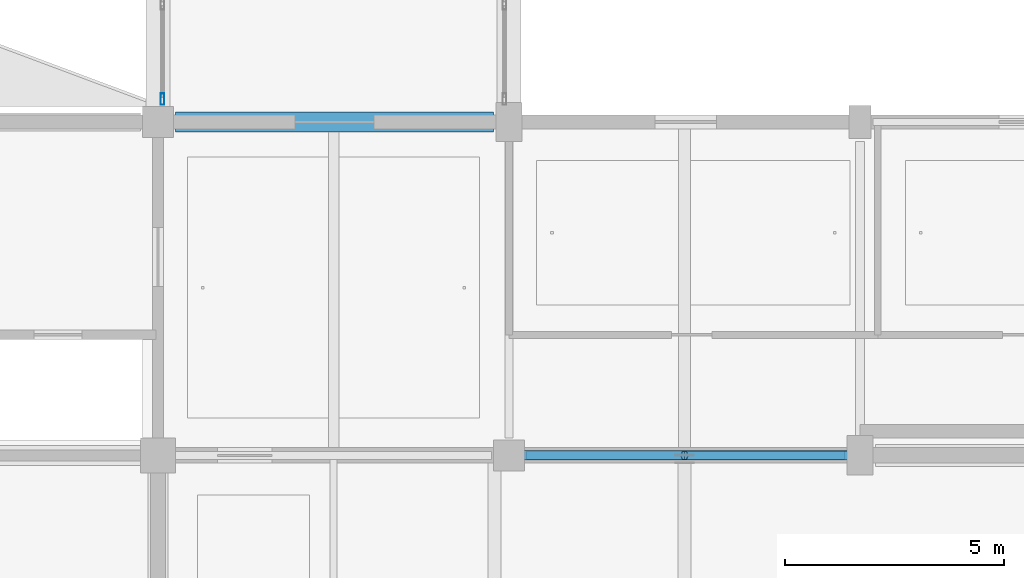
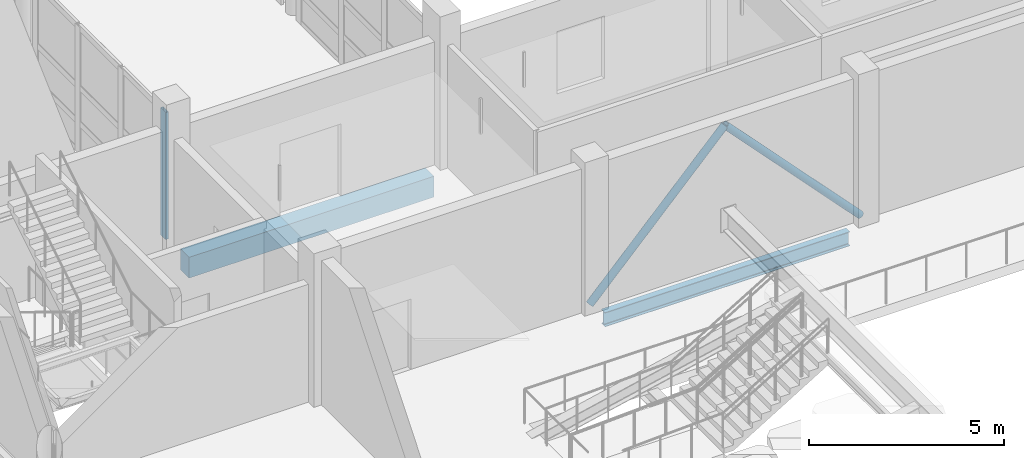
# One storey, part 19 of 147: 3 members, 2 beams, 1 element without a shape of its own.
"""IFC4 building model written with IfcOpenShell, lengths in metres."""

from ifc_helpers import new_model, si_unit, direction, frame, origin, origin_2d, place, context, subcontext, project, spatial, rectangle, hollow_rectangle, hollow_circle, i_section, extrude, material, material_profile, profile_set, type_object, element, aggregate, save


model = new_model("IFC4")

# Units and contexts
model_context = context("Model", 3, precision=1e-05, world=origin(), true_north=direction((0.0, 1.0)))
body_context = subcontext(model_context, "Body", "Model", "MODEL_VIEW")
ifc_project = project(units=[si_unit("LENGTHUNIT", "METRE"), si_unit("AREAUNIT", "SQUARE_METRE"), si_unit("VOLUMEUNIT", "CUBIC_METRE"), si_unit("PLANEANGLEUNIT", "RADIAN"), si_unit("MASSUNIT", "GRAM", prefix="KILO")], contexts=[model_context])

# Site, building, storey
site_placement = place(None, origin())
site = spatial("IfcSite", under=ifc_project, at=site_placement, CompositionType="ELEMENT")
building_placement = place(site_placement, origin())
building = spatial("IfcBuilding", under=site, at=building_placement, Name="Khelvaren Railside Concert Hall", CompositionType="ELEMENT")
storey_placement = place(building_placement, frame((0.0, 0.0, 5.39990234375)))
storey = spatial("IfcBuildingStorey", under=building, at=storey_placement, Name="L01", CompositionType="ELEMENT", Elevation=5.39990234375)

# Beam
ifc_material_1 = material(Name="Steel S355", Category="steel")
ifc_material_profile_1 = material_profile(ifc_material_1, i_section(OverallWidth=0.18994140625, OverallDepth=0.449951171875, WebThickness=0.009521484375, FlangeThickness=0.0146484375, FilletRadius=0.02099609375, at=origin_2d()), Name="IPE 450")
ifc_profile_set_1 = profile_set([ifc_material_profile_1], Name="Steel S355")
beam_type_1 = type_object("IfcBeamType", Name="BM95", PredefinedType="BEAM", material=ifc_profile_set_1)
beam_1_placement = place(storey_placement, frame((16.39990234375, 38.0, -0.52490234375), z_axis=(1.0, 0.0, 0.0), x_axis=(0.0, 1.0, 0.0)))
element("IfcBeam", 1, at=beam_1_placement, inside=storey, type_object=beam_type_1, Name="V1 L01 Beam X6.3", PredefinedType="BEAM", context=body_context, shape_type="SweptSolid", body=[
    extrude(i_section(OverallWidth=0.18994140625, OverallDepth=0.449951171875, WebThickness=0.009521484375, FlangeThickness=0.0146484375, FilletRadius=0.02099609375, at=origin_2d()), origin(), (0.0, 0.0, 1.0), 7.25),
])

# Members
ifc_material_profile_2 = material_profile(ifc_material_1, hollow_circle(Radius=0.109619140625, WallThickness=0.012451171875, at=origin_2d()), Name="CHS 219.1x12.5")
ifc_profile_set_2 = profile_set([ifc_material_profile_2], Name="Steel S355")
member_type_1 = type_object("IfcMemberType", Name="BR37", PredefinedType="BRACE", material=ifc_profile_set_2)
for number, where, z_axis, x_axis, name in (
    (2, (16.0, 38.0, 0.050048828125), (0.688798075334, 0.0, 0.724953247745), (0.0, 1.0, 0.0), "V1 L01 Seismic Chevron Brace 33"),
    (3, (24.0, 38.0, 0.050048828125), (-0.688798075334, 0.0, 0.724953247745), (0.0, -1.0, 0.0), "V1 L01 Seismic Chevron Brace 34"),
):
    element("IfcMember", number, at=place(storey_placement, frame(where, z_axis=z_axis, x_axis=x_axis)), inside=storey, type_object=member_type_1, Name=name, PredefinedType="BRACE", context=body_context, shape_type="SweptSolid", body=[
        extrude(hollow_circle(Radius=0.109619140625, WallThickness=0.012451171875, at=origin_2d()), origin(), (0.0, 0.0, 1.0), 5.80712890625),
    ])

# Curtain wall, member
ifc_material_2 = material(Name="Acoustic laminated crystal facade glass", Category="glass")
curtain_wall_type = type_object("IfcCurtainWallType", Name="CW78", PredefinedType="USERDEFINED", material=ifc_material_2)
curtain_wall_placement = place(storey_placement, origin())
curtain_wall = element("IfcCurtainWall", 4, at=curtain_wall_placement, inside=storey, type_object=curtain_wall_type, Name="Unitised Curtain Wall CW-LB3-L01-W1", ObjectType="UNITISED CURTAIN WALL", PredefinedType="USERDEFINED")
ifc_material_3 = material(Name="Anodised architectural aluminium 6063-T6", Category="aluminium")
ifc_material_profile_3 = material_profile(ifc_material_3, hollow_rectangle(XDim=0.0849609375, YDim=0.260009765625, WallThickness=0.0048828125, InnerFilletRadius=0.0029296875, OuterFilletRadius=0.0048828125, at=origin_2d()), Name="CWM 85x260x5")
ifc_profile_set_3 = profile_set([ifc_material_profile_3], Name="Anodised architectural aluminium 6063-T6")
member_type_2 = type_object("IfcMemberType", Name="CWM40", PredefinedType="MULLION", material=ifc_profile_set_3)
member_placement = place(storey_placement, frame((8.10009765625, 46.12255859375, 0.0), z_axis=(0.0, 0.0, 1.0), x_axis=(-1.0, 0.0, 0.0)))
member = element("IfcMember", 5, at=member_placement, type_object=member_type_2, Name="CW78 mullion 1", PredefinedType="MULLION", context=body_context, shape_type="SweptSolid", body=[
    extrude(hollow_rectangle(XDim=0.0849609375, YDim=0.260009765625, WallThickness=0.0048828125, InnerFilletRadius=0.0029296875, OuterFilletRadius=0.0048828125, at=origin_2d()), origin(), (0.0, 0.0, 1.0), 3.97998046875),
])
aggregate(curtain_wall, [member])

# Beam
ifc_material_4 = material(Name="Concrete C40/50", Category="concrete")
ifc_material_profile_4 = material_profile(ifc_material_4, rectangle(XDim=0.449951171875, YDim=0.64990234375, at=origin_2d()), Name="RCB 450x650")
ifc_profile_set_4 = profile_set([ifc_material_profile_4], Name="Concrete C40/50")
beam_type_2 = type_object("IfcBeamType", Name="SP34", PredefinedType="SPANDREL", material=ifc_profile_set_4)
beam_2_placement = place(storey_placement, frame((8.39990234375, 45.60009765625, -0.625), z_axis=(1.0, 0.0, 0.0), x_axis=(0.0, 1.0, 0.0)))
element("IfcBeam", 6, at=beam_2_placement, inside=storey, type_object=beam_type_2, Name="V1 L01 Spandrel X7.2", PredefinedType="SPANDREL", context=body_context, shape_type="SweptSolid", body=[
    extrude(rectangle(XDim=0.449951171875, YDim=0.64990234375, at=origin_2d()), origin(), (0.0, 0.0, 1.0), 7.25),
])

save(model, "model.ifc")
